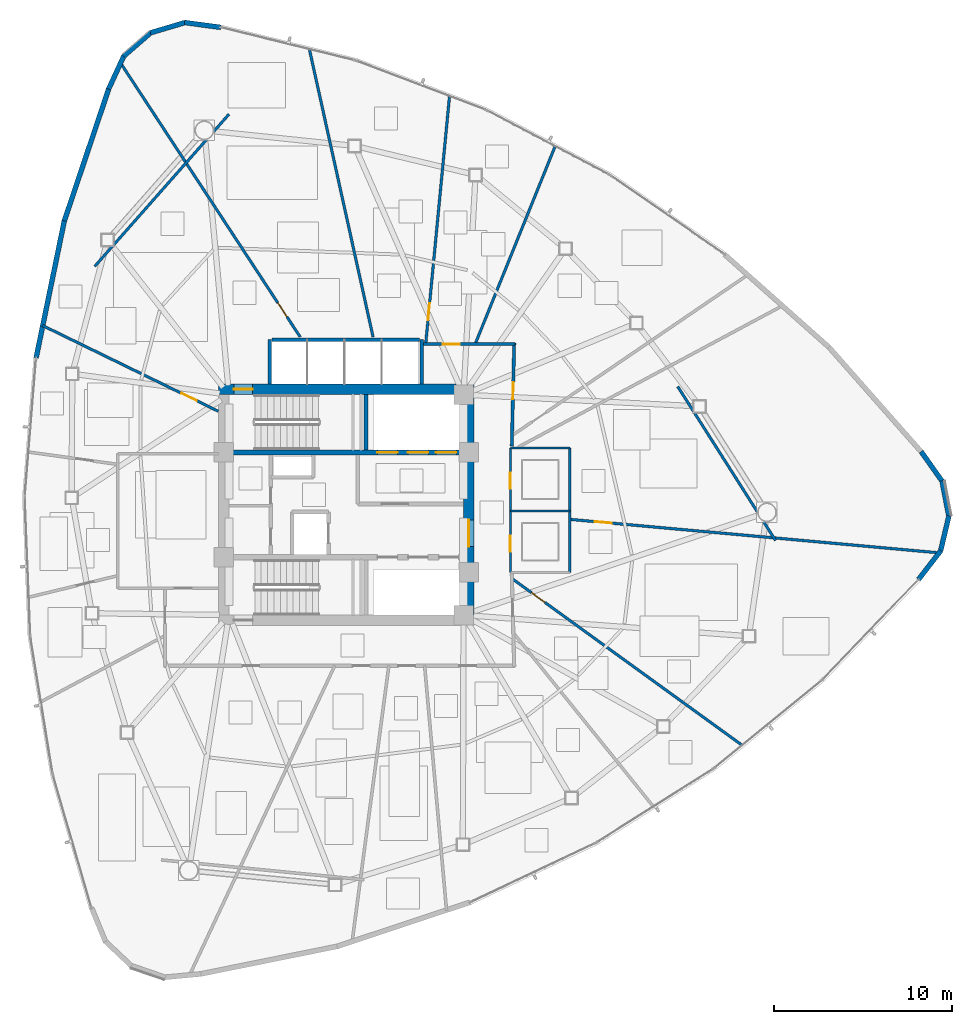
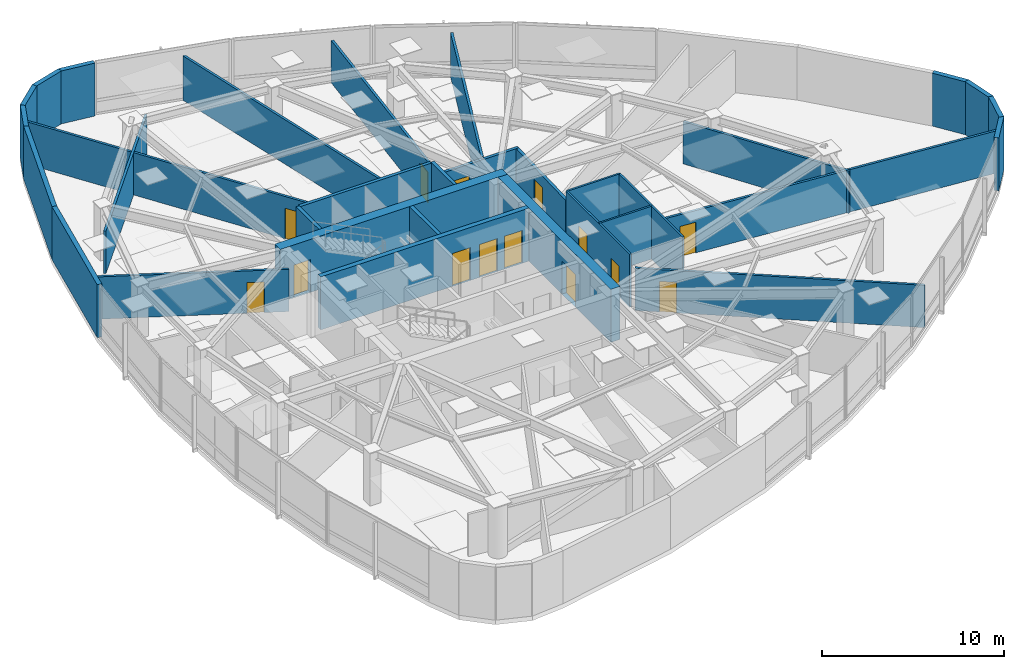
# One storey, part 12 of 17: 32 walls, 14 doors, 14 openings.
"""IFC4 building model written with IfcOpenShell, lengths in metres."""

from ifc_helpers import new_model, si_unit, direction, frame, frame_2d, origin, place, context, subcontext, project, spatial, rectangle, extrude, material, layer, layer_set, type_object, element, fill, save


model = new_model("IFC4")

# Units and contexts
model_context = context("Model", 3, precision=1e-05, world=origin(), true_north=direction((0.0, 1.0)))
body_context = subcontext(model_context, "Body", "Model", "MODEL_VIEW")
ifc_project = project(units=[si_unit("LENGTHUNIT", "METRE"), si_unit("AREAUNIT", "SQUARE_METRE"), si_unit("VOLUMEUNIT", "CUBIC_METRE"), si_unit("PLANEANGLEUNIT", "RADIAN"), si_unit("MASSUNIT", "GRAM", prefix="KILO")], contexts=[model_context])

# Site, building, storey
site_placement = place(None, origin())
site = spatial("IfcSite", under=ifc_project, at=site_placement, CompositionType="ELEMENT")
building_placement = place(site_placement, origin())
building = spatial("IfcBuilding", under=site, at=building_placement, Name="Tavelor Broadcast Tower", CompositionType="ELEMENT")
storey_placement = place(building_placement, frame((0.0, 0.0, 154.10009765625)))
storey = spatial("IfcBuildingStorey", under=building, at=storey_placement, Name="L36", CompositionType="ELEMENT", Elevation=154.10009765625)

# Wall, opening, door
ifc_material_1 = material(Name="Concrete C60/75", Category="concrete")
ifc_layer_1 = layer(ifc_material_1, 0.60009765625)
ifc_layer_set_1 = layer_set([ifc_layer_1], Name="Concrete C60/75")
wall_type_1 = type_object("IfcWallType", Name="Core Shear Wall 600 mm", PredefinedType="SHEAR", material=ifc_layer_set_1)
wall_1_placement = place(storey_placement, frame((42.800048828125, 51.5, 0.0), z_axis=(0.0, 0.0, 1.0), x_axis=(1.0, 0.0, 0.0)))
wall_1 = element("IfcWall", 1, at=wall_1_placement, inside=storey, type_object=wall_type_1, Name="L36 Central Core Shear Wall N", PredefinedType="SHEAR", context=body_context, shape_type="SweptSolid", body=[
    extrude(rectangle(XDim=14.39990234375, YDim=0.60009765625, at=frame_2d((7.199951171875, 0.0))), origin(), (0.0, 0.0, 1.0), 3.5498046875),
])
opening_1_placement = place(wall_1_placement, frame((0.8798828125, 0.0, 0.0)))
opening_1 = element("IfcOpeningElement", 2, at=opening_1_placement, cuts=wall_1, Name="Opening DR11", PredefinedType="OPENING", context=body_context, shape_type="SweptSolid", body=[
    extrude(rectangle(XDim=1.050048828125, YDim=2.199951171875, at=frame_2d((0.52490234375, 1.10009765625))), frame((0.0, 0.31005859375, 0.0), z_axis=(0.0, -1.0, 0.0), x_axis=(1.0, 0.0, 0.0)), (0.0, 0.0, 1.0), 0.6201171875),
])
ifc_material_2 = material(Name="Steel S355", Category="steel")
door_type_1 = type_object("IfcDoorType", Name="Stair Core Fire Escape Door 1050x2200", OperationType="NOTDEFINED", PredefinedType="DOOR", material=ifc_material_2)
door_1_placement = place(opening_1_placement, origin())
door_1 = element("IfcDoor", 3, at=door_1_placement, inside=storey, type_object=door_type_1, Name="L36 Stair ST1 Protected Exit Door", OperationType="SINGLE_SWING_LEFT", OverallHeight=2.199951171875, OverallWidth=1.050048828125, PredefinedType="DOOR", context=body_context, shape_type="SweptSolid", body=[
    extrude(rectangle(XDim=1.050048828125, YDim=2.199951171875, at=frame_2d((0.52490234375, 1.10009765625))), frame((0.0, 0.02490234375, 0.0), z_axis=(0.0, -1.0, 0.0), x_axis=(1.0, 0.0, 0.0)), (0.0, 0.0, 1.0), 0.050048828125),
])
fill(opening_1, door_1)

wall_2_placement = place(storey_placement, frame((56.89990234375, 38.800048828125, 0.0), z_axis=(0.0, 0.0, 1.0), x_axis=(0.0, 1.0, 0.0)))
wall_2 = element("IfcWall", 4, at=wall_2_placement, inside=storey, type_object=wall_type_1, Name="L36 Central Core Shear Wall E", PredefinedType="SHEAR", context=body_context, shape_type="SweptSolid", body=[
    extrude(rectangle(XDim=12.39990234375, YDim=0.60009765625, at=frame_2d((6.199951171875, 0.0))), origin(), (0.0, 0.0, 1.0), 3.5498046875),
])
opening_2_placement = place(wall_2_placement, frame((3.85009765625, 0.0, 0.0)))
opening_2 = element("IfcOpeningElement", 5, at=opening_2_placement, cuts=wall_2, Name="Opening DR14", PredefinedType="OPENING", context=body_context, shape_type="SweptSolid", body=[
    extrude(rectangle(XDim=1.5, YDim=2.199951171875, at=frame_2d((0.75, 1.10009765625))), frame((0.0, 0.31005859375, 0.0), z_axis=(0.0, -1.0, 0.0), x_axis=(1.0, 0.0, 0.0)), (0.0, 0.0, 1.0), 0.6201171875),
])
door_type_2 = type_object("IfcDoorType", Name="Firefighting Lobby Double Fire Door 1500x2200", OperationType="NOTDEFINED", PredefinedType="DOOR", material=ifc_material_2)
door_2_placement = place(opening_2_placement, origin())
door_2 = element("IfcDoor", 6, at=door_2_placement, inside=storey, type_object=door_type_2, Name="L36 Central Core Lobby Fire Door", OperationType="SINGLE_SWING_LEFT", OverallHeight=2.199951171875, OverallWidth=1.5, PredefinedType="DOOR", context=body_context, shape_type="SweptSolid", body=[
    extrude(rectangle(XDim=1.5, YDim=2.199951171875, at=frame_2d((0.75, 1.10009765625))), frame((0.0, 0.02490234375, 0.0), z_axis=(0.0, -1.0, 0.0), x_axis=(1.0, 0.0, 0.0)), (0.0, 0.0, 1.0), 0.050048828125),
])
fill(opening_2, door_2)

# Wall, openings, doors
ifc_layer_2 = layer(ifc_material_1, 0.300048828125)
ifc_layer_set_2 = layer_set([ifc_layer_2], Name="Concrete C60/75")
wall_type_2 = type_object("IfcWallType", Name="Core Spine Shear Wall 300 mm C60", PredefinedType="SHEAR", material=ifc_layer_set_2)
wall_3_placement = place(storey_placement, frame((43.39990234375, 47.949951171875, 0.0), z_axis=(0.0, 0.0, 1.0), x_axis=(1.0, 0.0, 0.0)))
wall_3 = element("IfcWall", 7, at=wall_3_placement, inside=storey, type_object=wall_type_2, Name="L36 Central Core Shear Wall SP1", PredefinedType="SHEAR", context=body_context, shape_type="SweptSolid", body=[
    extrude(rectangle(XDim=13.2001953125, YDim=0.300048828125, at=frame_2d((6.60009765625, 0.0))), origin(), (0.0, 0.0, 1.0), 3.5498046875),
])
opening_3_placement = place(wall_3_placement, frame((8.344970703125, 0.0, 0.0)))
opening_3 = element("IfcOpeningElement", 8, at=opening_3_placement, cuts=wall_3, Name="Opening LD02", PredefinedType="OPENING", context=body_context, shape_type="SweptSolid", body=[
    extrude(rectangle(XDim=1.14990234375, YDim=2.199951171875, at=frame_2d((0.574951171875, 1.10009765625))), frame((0.0, 0.16015625, 0.0), z_axis=(0.0, -1.0, 0.0), x_axis=(1.0, 0.0, 0.0)), (0.0, 0.0, 1.0), 0.320068359375),
])
opening_4_placement = place(wall_3_placement, frame((10.06494140625, 0.0, 0.0)))
opening_4 = element("IfcOpeningElement", 9, at=opening_4_placement, cuts=wall_3, Name="Opening LD02", PredefinedType="OPENING", context=body_context, shape_type="SweptSolid", body=[
    extrude(rectangle(XDim=1.14990234375, YDim=2.199951171875, at=frame_2d((0.574951171875, 1.10009765625))), frame((0.0, 0.16015625, 0.0), z_axis=(0.0, -1.0, 0.0), x_axis=(1.0, 0.0, 0.0)), (0.0, 0.0, 1.0), 0.320068359375),
])
opening_5_placement = place(wall_3_placement, frame((11.64501953125, 0.0, 0.0)))
opening_5 = element("IfcOpeningElement", 10, at=opening_5_placement, cuts=wall_3, Name="Opening LD03", PredefinedType="OPENING", context=body_context, shape_type="SweptSolid", body=[
    extrude(rectangle(XDim=1.14990234375, YDim=2.199951171875, at=frame_2d((0.574951171875, 1.10009765625))), frame((0.0, 0.16015625, 0.0), z_axis=(0.0, -1.0, 0.0), x_axis=(1.0, 0.0, 0.0)), (0.0, 0.0, 1.0), 0.320068359375),
])
ifc_material_3 = material(Name="Reinforced Brushed Stainless Steel", Category="concrete")
door_type_3 = type_object("IfcDoorType", Name="Broadcast Goods Lift Sliding Landing Door 1250x2200", OperationType="NOTDEFINED", PredefinedType="DOOR", material=ifc_material_3)
door_3_placement = place(opening_5_placement, origin())
door_3 = element("IfcDoor", 11, at=door_3_placement, inside=storey, type_object=door_type_3, Name="L36 Lift SVL1 Sliding Landing Door", OperationType="SLIDING_TO_LEFT", OverallHeight=2.199951171875, OverallWidth=1.14990234375, PredefinedType="DOOR", context=body_context, shape_type="SweptSolid", body=[
    extrude(rectangle(XDim=1.14990234375, YDim=2.199951171875, at=frame_2d((0.574951171875, 1.10009765625))), frame((0.0, 0.02490234375, 0.0), z_axis=(0.0, -1.0, 0.0), x_axis=(1.0, 0.0, 0.0)), (0.0, 0.0, 1.0), 0.050048828125),
])
fill(opening_5, door_3)
ifc_material_4 = material(Name="Fire-Rated Stainless Steel", Category="steel")
door_type_4 = type_object("IfcDoorType", Name="Firefighting Lift Sliding Landing Door 1200x2200", OperationType="NOTDEFINED", PredefinedType="DOOR", material=ifc_material_4)
door_4_placement = place(opening_3_placement, origin())
door_4 = element("IfcDoor", 12, at=door_4_placement, inside=storey, type_object=door_type_4, Name="L36 Lift FFL1 Sliding Landing Door", OperationType="SLIDING_TO_LEFT", OverallHeight=2.199951171875, OverallWidth=1.14990234375, PredefinedType="DOOR", context=body_context, shape_type="SweptSolid", body=[
    extrude(rectangle(XDim=1.14990234375, YDim=2.199951171875, at=frame_2d((0.574951171875, 1.10009765625))), frame((0.0, 0.02490234375, 0.0), z_axis=(0.0, -1.0, 0.0), x_axis=(1.0, 0.0, 0.0)), (0.0, 0.0, 1.0), 0.050048828125),
])
fill(opening_3, door_4)
door_5_placement = place(opening_4_placement, origin())
door_5 = element("IfcDoor", 13, at=door_5_placement, inside=storey, type_object=door_type_4, Name="L36 Lift FFL2 Sliding Landing Door", OperationType="SLIDING_TO_LEFT", OverallHeight=2.199951171875, OverallWidth=1.14990234375, PredefinedType="DOOR", context=body_context, shape_type="SweptSolid", body=[
    extrude(rectangle(XDim=1.14990234375, YDim=2.199951171875, at=frame_2d((0.574951171875, 1.10009765625))), frame((0.0, 0.02490234375, 0.0), z_axis=(0.0, -1.0, 0.0), x_axis=(1.0, 0.0, 0.0)), (0.0, 0.0, 1.0), 0.050048828125),
])
fill(opening_4, door_5)

# Wall, opening, door
ifc_material_5 = material(Name="Calcium Silicate Fire Board 180 mm", Category="gypsum")
ifc_layer_3 = layer(ifc_material_5, 0.179931640625)
ifc_layer_set_3 = layer_set([ifc_layer_3], Name="Calcium Silicate Fire Board 180 mm")
wall_type_3 = type_object("IfcWallType", Name="Fire-Rated Corridor Partition Wall 180 mm", PredefinedType="PARTITIONING", material=ifc_layer_set_3)
wall_4_placement = place(storey_placement, frame((54.300048828125, 54.050048828125, 0.0), z_axis=(0.0, 0.0, 1.0), x_axis=(1.0, 0.0, 0.0)))
wall_4 = element("IfcWall", 14, at=wall_4_placement, inside=storey, type_object=wall_type_3, Name="L36 Corridor Compartment Wall 01", PredefinedType="PARTITIONING", context=body_context, shape_type="SweptSolid", body=[
    extrude(rectangle(XDim=5.199951171875, YDim=0.179931640625, at=frame_2d((2.60009765625, 0.0))), origin(), (0.0, 0.0, 1.0), 2.8349609375),
])
opening_6_placement = place(wall_4_placement, frame((1.138916015625, 0.0, 0.0)))
opening_6 = element("IfcOpeningElement", 15, at=opening_6_placement, cuts=wall_4, Name="Opening DR18", PredefinedType="OPENING", context=body_context, shape_type="SweptSolid", body=[
    extrude(rectangle(XDim=0.949951171875, YDim=2.050048828125, at=frame_2d((0.47509765625, 1.02490234375))), frame((0.0, 0.10009765625, 0.0), z_axis=(0.0, -1.0, 0.0), x_axis=(1.0, 0.0, 0.0)), (0.0, 0.0, 1.0), 0.199951171875),
])
ifc_material_6 = material(Name="Timber Solid Core Hardwood", Category="wood")
door_type_5 = type_object("IfcDoorType", Name="Corridor Rated Compartment Door 950x2050", OperationType="NOTDEFINED", PredefinedType="DOOR", material=ifc_material_6)
door_6_placement = place(opening_6_placement, origin())
door_6 = element("IfcDoor", 16, at=door_6_placement, inside=storey, type_object=door_type_5, Name="L36 Producer Interview Room Door R13", OperationType="SINGLE_SWING_RIGHT", OverallHeight=2.050048828125, OverallWidth=0.949951171875, PredefinedType="DOOR", context=body_context, shape_type="SweptSolid", body=[
    extrude(rectangle(XDim=0.949951171875, YDim=2.050048828125, at=frame_2d((0.47509765625, 1.02490234375))), frame((0.0, 0.02490234375, 0.0), z_axis=(0.0, -1.0, 0.0), x_axis=(1.0, 0.0, 0.0)), (0.0, 0.0, 1.0), 0.050048828125),
])
fill(opening_6, door_6)

wall_5_placement = place(storey_placement, frame((59.451171875, 54.10009765625, 0.0), z_axis=(0.0, 0.0, 1.0), x_axis=(-0.023271046154, -0.999729192537, 0.0)))
wall_5 = element("IfcWall", 17, at=wall_5_placement, inside=storey, type_object=wall_type_3, Name="L36 Corridor Compartment Wall 02", PredefinedType="PARTITIONING", context=body_context, shape_type="SweptSolid", body=[
    extrude(rectangle(XDim=5.801513671875, YDim=0.179931640625, at=frame_2d((2.90087890625, 0.0))), origin(), (0.0, 0.0, 1.0), 2.8349609375),
])
opening_7_placement = place(wall_5_placement, frame((2.19287109375, 0.0, 0.0)))
opening_7 = element("IfcOpeningElement", 18, at=opening_7_placement, cuts=wall_5, Name="Opening DR18", PredefinedType="OPENING", context=body_context, shape_type="SweptSolid", body=[
    extrude(rectangle(XDim=0.949951171875, YDim=2.050048828125, at=frame_2d((0.47509765625, 1.02490234375))), frame((0.0, 0.10009765625, 0.0), z_axis=(0.0, -1.0, 0.0), x_axis=(1.0, 0.0, 0.0)), (0.0, 0.0, 1.0), 0.199951171875),
])
door_7_placement = place(opening_7_placement, origin())
door_7 = element("IfcDoor", 19, at=door_7_placement, inside=storey, type_object=door_type_5, Name="L36 Investigative News Desk Door R14", OperationType="SINGLE_SWING_LEFT", OverallHeight=2.050048828125, OverallWidth=0.949951171875, PredefinedType="DOOR", context=body_context, shape_type="SweptSolid", body=[
    extrude(rectangle(XDim=0.949951171875, YDim=2.050048828125, at=frame_2d((0.47509765625, 1.02490234375))), frame((0.0, 0.02490234375, 0.0), z_axis=(0.0, -1.0, 0.0), x_axis=(1.0, 0.0, 0.0)), (0.0, 0.0, 1.0), 0.050048828125),
])
fill(opening_7, door_7)

# Walls
ifc_material_7 = material(Name="Precast Concrete C40/50", Category="concrete")
ifc_layer_4 = layer(ifc_material_7, 0.280029296875)
ifc_layer_set_4 = layer_set([ifc_layer_4], Name="Precast Concrete C40/50")
wall_type_4 = type_object("IfcWallType", Name="Insulated Precast Terracotta Facade Wall 280 mm", PredefinedType="STANDARD", material=ifc_layer_set_4)
wall_6_placement = place(storey_placement, frame((42.93017578125, 71.876220703125, 0.0), z_axis=(0.0, 0.0, 1.0), x_axis=(-0.991099408373, 0.133123862332, 0.0)))
element("IfcWall", 20, at=wall_6_placement, inside=storey, type_object=wall_type_4, Name="L36 Rounded Corner Structural Cladding Pier 01", PredefinedType="STANDARD", context=body_context, shape_type="SweptSolid", body=[
    extrude(rectangle(XDim=2.048583984375, YDim=0.280029296875, at=frame_2d((1.0244140625, 0.0))), origin(), (0.0, 0.0, 1.0), 3.5498046875),
])
for number, where, z_axis, x_axis, name in (
    (21, (40.92919921875, 72.151123046875, 0.0), (0.0, 0.0, 1.0), (-0.958096352366, -0.286446119859, 0.0), "L36 Rounded Corner Structural Cladding Pier 02"),
    (22, (39.00341796875, 71.581787109375, 0.0), (0.0, 0.0, 1.0), (-0.755257906005, -0.655427719445, 0.0), "L36 Rounded Corner Structural Cladding Pier 03"),
):
    element("IfcWall", number, at=place(storey_placement, frame(where, z_axis=z_axis, x_axis=x_axis)), inside=storey, type_object=wall_type_4, Name=name, PredefinedType="STANDARD", context=body_context, shape_type="SweptSolid", body=[
        extrude(rectangle(XDim=2.037109375, YDim=0.280029296875, at=frame_2d((1.0185546875, 0.0))), origin(), (0.0, 0.0, 1.0), 3.5498046875),
    ])
wall_7_placement = place(storey_placement, frame((37.482421875, 70.27001953125, 0.0), z_axis=(0.0, 0.0, 1.0), x_axis=(-0.418727359316, -0.908111996705, 0.0)))
element("IfcWall", 23, at=wall_7_placement, inside=storey, type_object=wall_type_4, Name="L36 Rounded Corner Structural Cladding Pier 04", PredefinedType="STANDARD", context=body_context, shape_type="SweptSolid", body=[
    extrude(rectangle(XDim=2.059326171875, YDim=0.280029296875, at=frame_2d((1.02978515625, 0.0))), origin(), (0.0, 0.0, 1.0), 3.5498046875),
])
wall_8_placement = place(storey_placement, frame((36.63134765625, 68.427734375, 0.0), z_axis=(0.0, 0.0, 1.0), x_axis=(-0.318577566836, -0.947896794967, 0.0)))
element("IfcWall", 24, at=wall_8_placement, inside=storey, type_object=wall_type_4, Name="L36 Rounded Corner Structural Cladding Pier 05", PredefinedType="STANDARD", context=body_context, shape_type="SweptSolid", body=[
    extrude(rectangle(XDim=7.882568359375, YDim=0.280029296875, at=frame_2d((3.94140625, 0.0))), origin(), (0.0, 0.0, 1.0), 3.5498046875),
])
wall_9_placement = place(storey_placement, frame((34.1279296875, 60.98486328125, 0.0), z_axis=(0.0, 0.0, 1.0), x_axis=(-0.201505875907, -0.979487305673, 0.0)))
element("IfcWall", 25, at=wall_9_placement, inside=storey, type_object=wall_type_4, Name="L36 Rounded Corner Structural Cladding Pier 06", PredefinedType="STANDARD", context=body_context, shape_type="SweptSolid", body=[
    extrude(rectangle(XDim=7.870361328125, YDim=0.280029296875, at=frame_2d((3.93505859375, 0.0))), origin(), (0.0, 0.0, 1.0), 3.5498046875),
])
wall_10_placement = place(storey_placement, frame((82.21044921875, 40.80224609375, 0.0), z_axis=(0.0, 0.0, 1.0), x_axis=(0.6108333421, 0.791759198355, 0.0)))
element("IfcWall", 26, at=wall_10_placement, inside=storey, type_object=wall_type_4, Name="L36 Rounded Corner Structural Cladding Pier 21", PredefinedType="STANDARD", context=body_context, shape_type="SweptSolid", body=[
    extrude(rectangle(XDim=2.04833984375, YDim=0.280029296875, at=frame_2d((1.024169921875, 0.0))), origin(), (0.0, 0.0, 1.0), 3.5498046875),
])
for number, where, z_axis, x_axis, name in (
    (27, (83.44921875, 42.397705078125, 0.0), (0.0, 0.0, 1.0), (0.23084267522, 0.972991089012, 0.0), "L36 Rounded Corner Structural Cladding Pier 22"),
    (28, (83.918701171875, 44.350341796875, 0.0), (0.0, 0.0, 1.0), (-0.189980910548, 0.981787784415, 0.0), "L36 Rounded Corner Structural Cladding Pier 23"),
):
    element("IfcWall", number, at=place(storey_placement, frame(where, z_axis=z_axis, x_axis=x_axis)), inside=storey, type_object=wall_type_4, Name=name, PredefinedType="STANDARD", context=body_context, shape_type="SweptSolid", body=[
        extrude(rectangle(XDim=2.036865234375, YDim=0.280029296875, at=frame_2d((1.0185546875, 0.0))), origin(), (0.0, 0.0, 1.0), 3.5498046875),
    ])
wall_11_placement = place(storey_placement, frame((83.543212890625, 46.322998046875, 0.0), z_axis=(0.0, 0.0, 1.0), x_axis=(-0.577092705098, 0.816678645321, 0.0)))
element("IfcWall", 29, at=wall_11_placement, inside=storey, type_object=wall_type_4, Name="L36 Rounded Corner Structural Cladding Pier 24", PredefinedType="STANDARD", context=body_context, shape_type="SweptSolid", body=[
    extrude(rectangle(XDim=2.059326171875, YDim=0.280029296875, at=frame_2d((1.02978515625, 0.0))), origin(), (0.0, 0.0, 1.0), 3.5498046875),
])
ifc_material_8 = material(Name="Gypsum Acoustic Plasterboard 150 mm", Category="gypsum")
ifc_layer_5 = layer(ifc_material_8, 0.14990234375)
ifc_layer_set_5 = layer_set([ifc_layer_5], Name="Gypsum Acoustic Plasterboard 150 mm")
wall_type_5 = type_object("IfcWallType", Name="Interior Acoustic Partition Wall 150 mm", PredefinedType="PARTITIONING", material=ifc_layer_set_5)
wall_12_placement = place(storey_placement, frame((43.399658203125, 66.988525390625, 0.0), z_axis=(0.0, 0.0, 1.0), x_axis=(-0.661622343701, -0.749837231881, 0.0)))
element("IfcWall", 30, at=wall_12_placement, inside=storey, type_object=wall_type_5, Name="L36 Corner Tube Brace Furring Wall 1", PredefinedType="PARTITIONING", context=body_context, shape_type="SweptSolid", body=[
    extrude(rectangle(XDim=11.42724609375, YDim=0.14990234375, at=frame_2d((5.713623046875, 0.0))), origin(), (0.0, 0.0, 1.0), 2.8349609375),
])
wall_13_placement = place(storey_placement, frame((74.16259765625, 42.9931640625, 0.0), z_axis=(0.0, 0.0, 1.0), x_axis=(-0.53628142437, 0.844039237166, 0.0)))
element("IfcWall", 31, at=wall_13_placement, inside=storey, type_object=wall_type_5, Name="L36 Corner Tube Brace Furring Wall 3", PredefinedType="PARTITIONING", context=body_context, shape_type="SweptSolid", body=[
    extrude(rectangle(XDim=10.266845703125, YDim=0.14990234375, at=frame_2d((5.13330078125, 0.0))), origin(), (0.0, 0.0, 1.0), 2.8349609375),
])
wall_14_placement = place(storey_placement, frame((57.25634765625, 54.050048828125, 0.0), z_axis=(0.0, 0.0, 1.0), x_axis=(0.374624243816, 0.927176723147, 0.0)))
element("IfcWall", 32, at=wall_14_placement, inside=storey, type_object=wall_type_5, Name="L36 Radial Compartment Wall 01", PredefinedType="PARTITIONING", context=body_context, shape_type="SweptSolid", body=[
    extrude(rectangle(XDim=12.019775390625, YDim=0.14990234375, at=frame_2d((6.009765625, 0.0))), origin(), (0.0, 0.0, 1.0), 2.974853515625),
])

# Wall, opening, door
wall_15_placement = place(storey_placement, frame((54.469970703125, 54.050048828125, 0.0), z_axis=(0.0, 0.0, 1.0), x_axis=(0.095674606157, 0.995412663038, 0.0)))
wall_15 = element("IfcWall", 33, at=wall_15_placement, inside=storey, type_object=wall_type_5, Name="L36 Radial Compartment Wall 02", PredefinedType="PARTITIONING", context=body_context, shape_type="SweptSolid", body=[
    extrude(rectangle(XDim=14.02978515625, YDim=0.14990234375, at=frame_2d((7.014892578125, 0.0))), origin(), (0.0, 0.0, 1.0), 2.8349609375),
])
opening_8_placement = place(wall_15_placement, frame((1.35009765625, 0.0, 0.0)))
opening_8 = element("IfcOpeningElement", 34, at=opening_8_placement, cuts=wall_15, Name="Opening DR18", PredefinedType="OPENING", context=body_context, shape_type="SweptSolid", body=[
    extrude(rectangle(XDim=0.949951171875, YDim=2.050048828125, at=frame_2d((0.47509765625, 1.02490234375))), frame((0.0, 0.0849609375, 0.0), z_axis=(0.0, -1.0, 0.0), x_axis=(1.0, 0.0, 0.0)), (0.0, 0.0, 1.0), 0.169921875),
])
door_8_placement = place(opening_8_placement, origin())
door_8 = element("IfcDoor", 35, at=door_8_placement, inside=storey, type_object=door_type_5, Name="L36 Suite Connecting Door 12", OperationType="SINGLE_SWING_RIGHT", OverallHeight=2.050048828125, OverallWidth=0.949951171875, PredefinedType="DOOR", context=body_context, shape_type="SweptSolid", body=[
    extrude(rectangle(XDim=0.949951171875, YDim=2.050048828125, at=frame_2d((0.47509765625, 1.02490234375))), frame((0.0, 0.02490234375, 0.0), z_axis=(0.0, -1.0, 0.0), x_axis=(1.0, 0.0, 0.0)), (0.0, 0.0, 1.0), 0.050048828125),
])
fill(opening_8, door_8)

# Wall
wall_16_placement = place(storey_placement, frame((51.508544921875, 54.449951171875, 0.0), z_axis=(0.0, 0.0, 1.0), x_axis=(-0.216091036275, 0.976373219646, 0.0)))
element("IfcWall", 36, at=wall_16_placement, inside=storey, type_object=wall_type_5, Name="L36 Radial Compartment Wall 03", PredefinedType="PARTITIONING", context=body_context, shape_type="SweptSolid", body=[
    extrude(rectangle(XDim=16.60009765625, YDim=0.14990234375, at=frame_2d((8.300048828125, 0.0))), origin(), (0.0, 0.0, 1.0), 2.974853515625),
])

# Wall, opening, door
wall_17_placement = place(storey_placement, frame((47.405517578125, 54.449951171875, 0.0), z_axis=(0.0, 0.0, 1.0), x_axis=(-0.548218445852, 0.836335181388, 0.0)))
wall_17 = element("IfcWall", 37, at=wall_17_placement, inside=storey, type_object=wall_type_5, Name="L36 Radial Compartment Wall 04", PredefinedType="PARTITIONING", context=body_context, shape_type="SweptSolid", body=[
    extrude(rectangle(XDim=18.448974609375, YDim=0.14990234375, at=frame_2d((9.224609375, 0.0))), origin(), (0.0, 0.0, 1.0), 2.8349609375),
])
opening_9_placement = place(wall_17_placement, frame((1.35009765625, 0.0, 0.0)))
opening_9 = element("IfcOpeningElement", 38, at=opening_9_placement, cuts=wall_17, Name="Opening DR18", PredefinedType="OPENING", context=body_context, shape_type="SweptSolid", body=[
    extrude(rectangle(XDim=0.949951171875, YDim=2.050048828125, at=frame_2d((0.47509765625, 1.02490234375))), frame((0.0, 0.0849609375, 0.0), z_axis=(0.0, -1.0, 0.0), x_axis=(1.0, 0.0, 0.0)), (0.0, 0.0, 1.0), 0.169921875),
])
door_9_placement = place(opening_9_placement, origin())
door_9 = element("IfcDoor", 39, at=door_9_placement, inside=storey, type_object=door_type_5, Name="L36 Suite Connecting Door 11", OperationType="SINGLE_SWING_LEFT", OverallHeight=2.050048828125, OverallWidth=0.949951171875, PredefinedType="DOOR", context=body_context, shape_type="SweptSolid", body=[
    extrude(rectangle(XDim=0.949951171875, YDim=2.050048828125, at=frame_2d((0.47509765625, 1.02490234375))), frame((0.0, 0.02490234375, 0.0), z_axis=(0.0, -1.0, 0.0), x_axis=(1.0, 0.0, 0.0)), (0.0, 0.0, 1.0), 0.050048828125),
])
fill(opening_9, door_9)

wall_18_placement = place(storey_placement, frame((42.800048828125, 50.268310546875, 0.0), z_axis=(0.0, 0.0, 1.0), x_axis=(-0.898775266177, 0.438409649652, 0.0)))
wall_18 = element("IfcWall", 40, at=wall_18_placement, inside=storey, type_object=wall_type_5, Name="L36 Radial Compartment Wall 05", PredefinedType="PARTITIONING", context=body_context, shape_type="SweptSolid", body=[
    extrude(rectangle(XDim=11.00830078125, YDim=0.14990234375, at=frame_2d((5.504150390625, 0.0))), origin(), (0.0, 0.0, 1.0), 2.8349609375),
])
opening_10_placement = place(wall_18_placement, frame((1.35009765625, 0.0, 0.0)))
opening_10 = element("IfcOpeningElement", 41, at=opening_10_placement, cuts=wall_18, Name="Opening DR18", PredefinedType="OPENING", context=body_context, shape_type="SweptSolid", body=[
    extrude(rectangle(XDim=0.949951171875, YDim=2.050048828125, at=frame_2d((0.47509765625, 1.02490234375))), frame((0.0, 0.0849609375, 0.0), z_axis=(0.0, -1.0, 0.0), x_axis=(1.0, 0.0, 0.0)), (0.0, 0.0, 1.0), 0.169921875),
])
door_10_placement = place(opening_10_placement, origin())
door_10 = element("IfcDoor", 42, at=door_10_placement, inside=storey, type_object=door_type_5, Name="L36 Suite Connecting Door 10", OperationType="SINGLE_SWING_RIGHT", OverallHeight=2.050048828125, OverallWidth=0.949951171875, PredefinedType="DOOR", context=body_context, shape_type="SweptSolid", body=[
    extrude(rectangle(XDim=0.949951171875, YDim=2.050048828125, at=frame_2d((0.47509765625, 1.02490234375))), frame((0.0, 0.02490234375, 0.0), z_axis=(0.0, -1.0, 0.0), x_axis=(1.0, 0.0, 0.0)), (0.0, 0.0, 1.0), 0.050048828125),
])
fill(opening_10, door_10)

wall_19_placement = place(storey_placement, frame((59.322509765625, 40.855712890625, 0.0), z_axis=(0.0, 0.0, 1.0), x_axis=(0.809908898194, -0.58655568928, 0.0)))
wall_19 = element("IfcWall", 43, at=wall_19_placement, inside=storey, type_object=wall_type_5, Name="L36 Radial Compartment Wall 13", PredefinedType="PARTITIONING", context=body_context, shape_type="SweptSolid", body=[
    extrude(rectangle(XDim=16.01025390625, YDim=0.14990234375, at=frame_2d((8.005126953125, 0.0))), origin(), (0.0, 0.0, 1.0), 2.8349609375),
])
opening_11_placement = place(wall_19_placement, frame((1.35009765625, 0.0, 0.0)))
opening_11 = element("IfcOpeningElement", 44, at=opening_11_placement, cuts=wall_19, Name="Opening DR18", PredefinedType="OPENING", context=body_context, shape_type="SweptSolid", body=[
    extrude(rectangle(XDim=0.949951171875, YDim=2.050048828125, at=frame_2d((0.47509765625, 1.02490234375))), frame((0.0, 0.0849609375, 0.0), z_axis=(0.0, -1.0, 0.0), x_axis=(1.0, 0.0, 0.0)), (0.0, 0.0, 1.0), 0.169921875),
])
door_11_placement = place(opening_11_placement, origin())
door_11 = element("IfcDoor", 45, at=door_11_placement, inside=storey, type_object=door_type_5, Name="L36 Suite Connecting Door 1", OperationType="SINGLE_SWING_LEFT", OverallHeight=2.050048828125, OverallWidth=0.949951171875, PredefinedType="DOOR", context=body_context, shape_type="SweptSolid", body=[
    extrude(rectangle(XDim=0.949951171875, YDim=2.050048828125, at=frame_2d((0.47509765625, 1.02490234375))), frame((0.0, 0.02490234375, 0.0), z_axis=(0.0, -1.0, 0.0), x_axis=(1.0, 0.0, 0.0)), (0.0, 0.0, 1.0), 0.050048828125),
])
fill(opening_11, door_11)

wall_20_placement = place(storey_placement, frame((62.64990234375, 44.178955078125, 0.0), z_axis=(0.0, 0.0, 1.0), x_axis=(0.995910303508, -0.090347481244, 0.0)))
wall_20 = element("IfcWall", 46, at=wall_20_placement, inside=storey, type_object=wall_type_5, Name="L36 Radial Compartment Wall 14", PredefinedType="PARTITIONING", context=body_context, shape_type="SweptSolid", body=[
    extrude(rectangle(XDim=20.812744140625, YDim=0.14990234375, at=frame_2d((10.40625, 0.0))), origin(), (0.0, 0.0, 1.0), 2.8349609375),
])
opening_12_placement = place(wall_20_placement, frame((1.35009765625, 0.0, 0.0)))
opening_12 = element("IfcOpeningElement", 47, at=opening_12_placement, cuts=wall_20, Name="Opening DR18", PredefinedType="OPENING", context=body_context, shape_type="SweptSolid", body=[
    extrude(rectangle(XDim=0.949951171875, YDim=2.050048828125, at=frame_2d((0.47509765625, 1.02490234375))), frame((0.0, 0.0849609375, 0.0), z_axis=(0.0, -1.0, 0.0), x_axis=(1.0, 0.0, 0.0)), (0.0, 0.0, 1.0), 0.169921875),
])
door_12_placement = place(opening_12_placement, origin())
door_12 = element("IfcDoor", 48, at=door_12_placement, inside=storey, type_object=door_type_5, Name="L36 Suite Connecting Door 16", OperationType="SINGLE_SWING_RIGHT", OverallHeight=2.050048828125, OverallWidth=0.949951171875, PredefinedType="DOOR", context=body_context, shape_type="SweptSolid", body=[
    extrude(rectangle(XDim=0.949951171875, YDim=2.050048828125, at=frame_2d((0.47509765625, 1.02490234375))), frame((0.0, 0.02490234375, 0.0), z_axis=(0.0, -1.0, 0.0), x_axis=(1.0, 0.0, 0.0)), (0.0, 0.0, 1.0), 0.050048828125),
])
fill(opening_12, door_12)

# Walls
ifc_material_9 = material(Name="Concrete Blockwork 200 mm", Category="masonry")
ifc_layer_6 = layer(ifc_material_9, 0.199951171875)
ifc_layer_set_6 = layer_set([ifc_layer_6], Name="Concrete Blockwork 200 mm")
wall_type_6 = type_object("IfcWallType", Name="Lift Hoistway Rated Front Wall 200 mm", PredefinedType="PARTITIONING", material=ifc_layer_set_6)
wall_21_placement = place(storey_placement, frame((45.820068359375, 54.300048828125, 0.0), z_axis=(0.0, 0.0, 1.0), x_axis=(1.0, 0.0, 0.0)))
element("IfcWall", 49, at=wall_21_placement, inside=storey, type_object=wall_type_6, Name="L36 High-Rise Lift Hoistway Front Wall", PredefinedType="PARTITIONING", context=body_context, shape_type="SweptSolid", body=[
    extrude(rectangle(XDim=8.309814453125, YDim=0.199951171875, at=frame_2d((4.15478515625, 0.0))), origin(), (0.0, 0.0, 1.0), 3.5498046875),
])
ifc_layer_7 = layer(ifc_material_9, 0.199951171875)
ifc_layer_set_7 = layer_set([ifc_layer_7], Name="Concrete Blockwork 200 mm")
wall_type_7 = type_object("IfcWallType", Name="Lift and Riser Shaft Enclosure Wall 200 mm", PredefinedType="PARTITIONING", material=ifc_layer_set_7)
for number, where, z_axis, x_axis, name in (
    (50, (45.699951171875, 51.800048828125, 0.0), (0.0, 0.0, 1.0), (0.0, 1.0, 0.0), "L36 High-Rise Lift Shaft West Wall"),
    (51, (54.25, 51.800048828125, 0.0), (0.0, 0.0, 1.0), (0.0, 1.0, 0.0), "L36 High-Rise Lift Shaft East Wall"),
):
    element("IfcWall", number, at=place(storey_placement, frame(where, z_axis=z_axis, x_axis=x_axis)), inside=storey, type_object=wall_type_7, Name=name, PredefinedType="PARTITIONING", context=body_context, shape_type="SweptSolid", body=[
        extrude(rectangle(XDim=2.5, YDim=0.199951171875, at=frame_2d((1.25, 0.0))), origin(), (0.0, 0.0, 1.0), 3.5498046875),
    ])

# Wall, openings, doors
ifc_material_10 = material(Name="Moisture-Resistant Plasterboard 120 mm", Category="gypsum")
ifc_layer_8 = layer(ifc_material_10, 0.1201171875)
ifc_layer_set_8 = layer_set([ifc_layer_8], Name="Moisture-Resistant Plasterboard 120 mm")
wall_type_8 = type_object("IfcWallType", Name="Moisture-Resistant Wet-Room Partition 120 mm", PredefinedType="PARTITIONING", material=ifc_layer_set_8)
wall_22_placement = place(storey_placement, frame((59.239990234375, 41.199951171875, 0.0), z_axis=(0.0, 0.0, 1.0), x_axis=(0.0, 1.0, 0.0)))
wall_22 = element("IfcWall", 52, at=wall_22_placement, inside=storey, type_object=wall_type_8, Name="L36 Floor Washrooms West Wall", PredefinedType="PARTITIONING", context=body_context, shape_type="SweptSolid", body=[
    extrude(rectangle(XDim=7.0, YDim=0.1201171875, at=frame_2d((3.5, 0.0))), origin(), (0.0, 0.0, 1.0), 3.5498046875),
])
opening_13_placement = place(wall_22_placement, frame((1.14990234375, 0.0, 0.0)))
opening_13 = element("IfcOpeningElement", 53, at=opening_13_placement, cuts=wall_22, Name="Opening DR32", PredefinedType="OPENING", context=body_context, shape_type="SweptSolid", body=[
    extrude(rectangle(XDim=0.89990234375, YDim=2.050048828125, at=frame_2d((0.449951171875, 1.02490234375))), frame((0.0, 0.070068359375, 0.0), z_axis=(0.0, -1.0, 0.0), x_axis=(1.0, 0.0, 0.0)), (0.0, 0.0, 1.0), 0.14013671875),
])
opening_14_placement = place(wall_22_placement, frame((4.699951171875, 0.0, 0.0)))
opening_14 = element("IfcOpeningElement", 54, at=opening_14_placement, cuts=wall_22, Name="Opening DR32", PredefinedType="OPENING", context=body_context, shape_type="SweptSolid", body=[
    extrude(rectangle(XDim=0.89990234375, YDim=2.050048828125, at=frame_2d((0.449951171875, 1.02490234375))), frame((0.0, 0.070068359375, 0.0), z_axis=(0.0, -1.0, 0.0), x_axis=(1.0, 0.0, 0.0)), (0.0, 0.0, 1.0), 0.14013671875),
])
door_type_6 = type_object("IfcDoorType", Name="Accessible Washroom Door 900x2050", OperationType="NOTDEFINED", PredefinedType="DOOR", material=ifc_material_6)
door_13_placement = place(opening_13_placement, origin())
door_13 = element("IfcDoor", 55, at=door_13_placement, inside=storey, type_object=door_type_6, Name="L36 Accessible WC Door", OperationType="SINGLE_SWING_LEFT", OverallHeight=2.050048828125, OverallWidth=0.89990234375, PredefinedType="DOOR", context=body_context, shape_type="SweptSolid", body=[
    extrude(rectangle(XDim=0.89990234375, YDim=2.050048828125, at=frame_2d((0.449951171875, 1.02490234375))), frame((0.0, 0.02490234375, 0.0), z_axis=(0.0, -1.0, 0.0), x_axis=(1.0, 0.0, 0.0)), (0.0, 0.0, 1.0), 0.050048828125),
])
fill(opening_13, door_13)
door_14_placement = place(opening_14_placement, origin())
door_14 = element("IfcDoor", 56, at=door_14_placement, inside=storey, type_object=door_type_6, Name="L36 Staff Washroom WC Door", OperationType="SINGLE_SWING_RIGHT", OverallHeight=2.050048828125, OverallWidth=0.89990234375, PredefinedType="DOOR", context=body_context, shape_type="SweptSolid", body=[
    extrude(rectangle(XDim=0.89990234375, YDim=2.050048828125, at=frame_2d((0.449951171875, 1.02490234375))), frame((0.0, 0.02490234375, 0.0), z_axis=(0.0, -1.0, 0.0), x_axis=(1.0, 0.0, 0.0)), (0.0, 0.0, 1.0), 0.050048828125),
])
fill(opening_14, door_14)

# Walls
for number, where, z_axis, x_axis, name in (
    (57, (59.239990234375, 44.64990234375, 0.0), (0.0, 0.0, 1.0), (1.0, 0.0, 0.0), "L36 Floor Washrooms Divider Wall"),
    (58, (59.239990234375, 48.199951171875, 0.0), (0.0, 0.0, 1.0), (1.0, 0.0, 0.0), "L36 Floor Washrooms North Wall"),
):
    element("IfcWall", number, at=place(storey_placement, frame(where, z_axis=z_axis, x_axis=x_axis)), inside=storey, type_object=wall_type_8, Name=name, PredefinedType="PARTITIONING", context=body_context, shape_type="SweptSolid", body=[
        extrude(rectangle(XDim=3.340087890625, YDim=0.1201171875, at=frame_2d((1.669921875, 0.0))), origin(), (0.0, 0.0, 1.0), 3.5498046875),
    ])
wall_23_placement = place(storey_placement, frame((62.580078125, 41.199951171875, 0.0), z_axis=(0.0, 0.0, 1.0), x_axis=(0.0, 1.0, 0.0)))
element("IfcWall", 59, at=wall_23_placement, inside=storey, type_object=wall_type_8, Name="L36 Floor Washrooms East Wall", PredefinedType="PARTITIONING", context=body_context, shape_type="SweptSolid", body=[
    extrude(rectangle(XDim=7.0, YDim=0.1201171875, at=frame_2d((3.5, 0.0))), origin(), (0.0, 0.0, 1.0), 3.5498046875),
])
ifc_material_11 = material(Name="Concrete C40/50", Category="concrete")
ifc_layer_9 = layer(ifc_material_11, 0.219970703125)
ifc_layer_set_9 = layer_set([ifc_layer_9], Name="Concrete C40/50")
wall_type_9 = type_object("IfcWallType", Name="Structural Stairwell Shear Wall 220 mm", PredefinedType="SHEAR", material=ifc_layer_set_9)
wall_24_placement = place(storey_placement, frame((51.110107421875, 48.10009765625, 0.0), z_axis=(0.0, 0.0, 1.0), x_axis=(0.0, 1.0, 0.0)))
element("IfcWall", 60, at=wall_24_placement, inside=storey, type_object=wall_type_9, Name="L36 Stair ST1 Structural Shaft Wall", PredefinedType="SHEAR", context=body_context, shape_type="SweptSolid", body=[
    extrude(rectangle(XDim=3.099853515625, YDim=0.219970703125, at=frame_2d((1.5498046875, 0.0))), origin(), (0.0, 0.0, 1.0), 3.5498046875),
])

save(model, "model.ifc")
